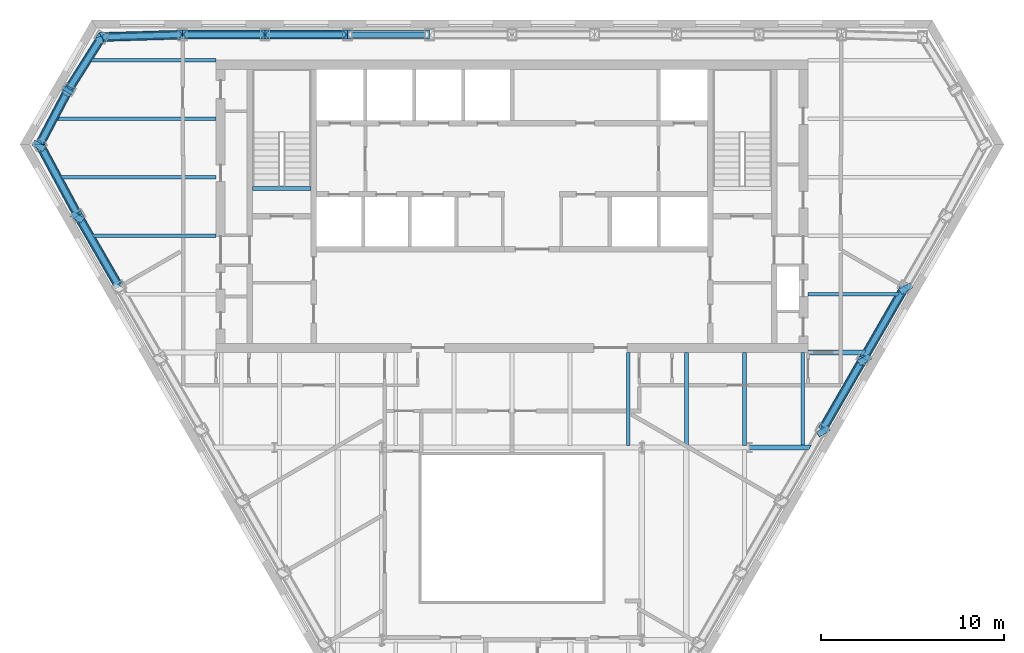
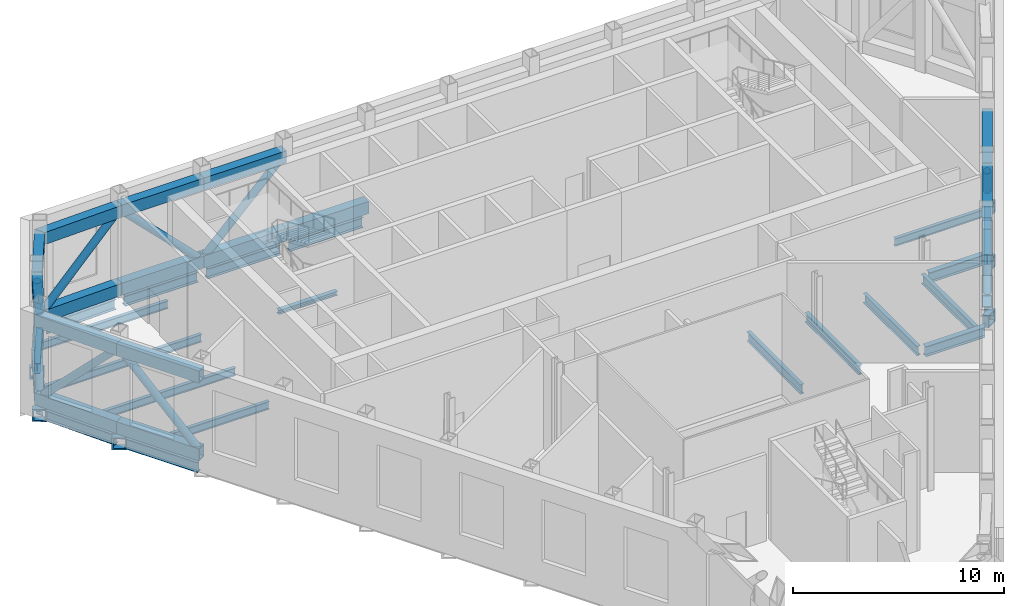
# One storey, part 4 of 13: 28 beams, 28 members.
"""IFC4 building model written with IfcOpenShell, lengths in metres."""

from ifc_helpers import new_model, si_unit, direction, frame, origin, origin_2d, place, context, subcontext, project, spatial, hollow_rectangle, hollow_circle, i_section, extrude, clip, halfspace, material, material_profile, profile_set, type_object, element, save


model = new_model("IFC4")

# Units and contexts
model_context = context("Model", 3, precision=1e-05, world=origin(), true_north=direction((0.0, 1.0)))
body_context = subcontext(model_context, "Body", "Model", "MODEL_VIEW")
ifc_project = project(units=[si_unit("LENGTHUNIT", "METRE"), si_unit("AREAUNIT", "SQUARE_METRE"), si_unit("VOLUMEUNIT", "CUBIC_METRE"), si_unit("PLANEANGLEUNIT", "RADIAN"), si_unit("MASSUNIT", "GRAM", prefix="KILO")], contexts=[model_context])

# Site, building, storey
site_placement = place(None, origin())
site = spatial("IfcSite", under=ifc_project, at=site_placement, CompositionType="ELEMENT")
building_placement = place(site_placement, origin())
building = spatial("IfcBuilding", under=site, at=building_placement, Name="Njiva Tower", CompositionType="ELEMENT")
storey_placement = place(building_placement, frame((0.0, 0.0, 186.6)))
storey = spatial("IfcBuildingStorey", under=building, at=storey_placement, Name="L41", CompositionType="ELEMENT", Elevation=186.6)

# Beams
ifc_material_1 = material(Name="Steel S355 J2", Category="steel")
ifc_material_profile_1 = material_profile(ifc_material_1, hollow_rectangle(XDim=0.7, YDim=0.7, WallThickness=0.08, at=origin_2d()), Name="BOX 700x700x80")
ifc_profile_set_1 = profile_set([ifc_material_profile_1], Name="Steel S355 J2")
beam_type_1 = type_object("IfcBeamType", Name="B19 Column jog beam BOX 700x700x80", PredefinedType="BEAM", material=ifc_profile_set_1)
beam_1_placement = place(storey_placement, frame((-24.359, 16.259, -0.55), z_axis=(0.532813269686, 0.84623284009, 0.0), x_axis=(-0.84623284009, 0.532813269686, 0.0)))
element("IfcBeam", 1, at=beam_1_placement, inside=storey, type_object=beam_type_1, Name="Column jog beam T3-B020", PredefinedType="BEAM", context=body_context, shape_type="SweptSolid", body=[
    extrude(hollow_rectangle(XDim=0.7, YDim=0.7, WallThickness=0.08, at=origin_2d()), origin(), (0.0, 0.0, 1.0), 0.2233),
])
beam_2_placement = place(storey_placement, frame((-25.989, 13.169, -0.55), z_axis=(0.519059238985, 0.85473826779, 0.0), x_axis=(-0.85473826779, 0.519059238985, 0.0)))
element("IfcBeam", 2, at=beam_2_placement, inside=storey, type_object=beam_type_1, Name="Column jog beam T3-B019", PredefinedType="BEAM", context=body_context, shape_type="SweptSolid", body=[
    extrude(hollow_rectangle(XDim=0.7, YDim=0.7, WallThickness=0.08, at=origin_2d()), origin(), (0.0, 0.0, 1.0), 0.3217),
])
beam_3_placement = place(storey_placement, frame((-23.888, 9.264, -0.55), z_axis=(0.517683266159, 0.855572344071, 0.0), x_axis=(-0.855572344071, 0.517683266159, 0.0)))
element("IfcBeam", 3, at=beam_3_placement, inside=storey, type_object=beam_type_1, Name="Column jog beam T3-B021", PredefinedType="BEAM", context=body_context, shape_type="SweptSolid", body=[
    extrude(hollow_rectangle(XDim=0.7, YDim=0.7, WallThickness=0.08, at=origin_2d()), origin(), (0.0, 0.0, 1.0), 0.3226),
])
for number, where, z_axis, x_axis, name in (
    (4, (17.124, -2.45, -0.55), (-0.503103193973, 0.864226345475, 0.0), (-0.864226345475, -0.503103193973, 0.0), "Column jog beam T3-B042"),
    (5, (19.378, 1.454, -0.55), (-0.503103193973, 0.864226345475, 0.0), (-0.864226345475, -0.503103193973, 0.0), "Column jog beam T3-B043"),
):
    element("IfcBeam", number, at=place(storey_placement, frame(where, z_axis=z_axis, x_axis=x_axis)), inside=storey, type_object=beam_type_1, Name=name, PredefinedType="BEAM", context=body_context, shape_type="SweptSolid", body=[
        extrude(hollow_rectangle(XDim=0.7, YDim=0.7, WallThickness=0.08, at=origin_2d()), origin(), (0.0, 0.0, 1.0), 0.324),
    ])
beam_4_placement = place(storey_placement, frame((21.634, 5.359, -0.55), z_axis=(-0.511321392938, 0.859389570058, 0.0), x_axis=(-0.859389570058, -0.511321392938, 0.0)))
element("IfcBeam", 6, at=beam_4_placement, inside=storey, type_object=beam_type_1, Name="Column jog beam T3-B044", PredefinedType="BEAM", context=body_context, shape_type="SweptSolid", body=[
    extrude(hollow_rectangle(XDim=0.7, YDim=0.7, WallThickness=0.08, at=origin_2d()), origin(), (0.0, 0.0, 1.0), 0.3246),
])
ifc_material_profile_2 = material_profile(ifc_material_1, i_section(OverallWidth=0.3, OverallDepth=0.59, WebThickness=0.013, FlangeThickness=0.025, at=origin_2d()), Name="HEA 600")
ifc_profile_set_2 = profile_set([ifc_material_profile_2], Name="Steel S355 J2")
beam_type_2 = type_object("IfcBeamType", Name="B27 Short-span spandrel beam HEA 600", PredefinedType="SPANDREL", material=ifc_profile_set_2)
beam_5_placement = place(storey_placement, frame((-4.759, 19.4, -0.495), z_axis=(-1.0, 0.0, 0.0), x_axis=(0.0, -1.0, 0.0)))
element("IfcBeam", 7, at=beam_5_placement, inside=storey, type_object=beam_type_2, Name="Short-span spandrel beam T3-B087", PredefinedType="SPANDREL", context=body_context, shape_type="SweptSolid", body=[
    extrude(i_section(OverallWidth=0.3, OverallDepth=0.59, WebThickness=0.013, FlangeThickness=0.025, at=origin_2d()), origin(), (0.0, 0.0, 1.0), 4.008),
])
beam_6_placement = place(storey_placement, frame((-9.267, 19.4, -0.495), z_axis=(-1.0, 0.0, 0.0), x_axis=(0.0, -1.0, 0.0)))
element("IfcBeam", 8, at=beam_6_placement, inside=storey, type_object=beam_type_2, Name="Short-span spandrel beam T3-B084", PredefinedType="SPANDREL", context=body_context, shape_type="SweptSolid", body=[
    extrude(i_section(OverallWidth=0.3, OverallDepth=0.59, WebThickness=0.013, FlangeThickness=0.025, at=origin_2d()), origin(), (0.0, 0.0, 1.0), 4.009),
])
beam_7_placement = place(storey_placement, frame((-13.776, 19.4, -0.495), z_axis=(-1.0, 0.0, 0.0), x_axis=(0.0, -1.0, 0.0)))
element("IfcBeam", 9, at=beam_7_placement, inside=storey, type_object=beam_type_2, Name="Short-span spandrel beam T3-B081", PredefinedType="SPANDREL", context=body_context, shape_type="SweptSolid", body=[
    extrude(i_section(OverallWidth=0.3, OverallDepth=0.59, WebThickness=0.013, FlangeThickness=0.025, at=origin_2d()), origin(), (0.0, 0.0, 1.0), 4.008),
])
beam_8_placement = place(storey_placement, frame((-18.288, 19.392, -0.495), z_axis=(-0.999548579163, -0.030043932724, 0.0), x_axis=(0.030043932724, -0.999548579163, 0.0)))
element("IfcBeam", 10, at=beam_8_placement, inside=storey, type_object=beam_type_2, Name="Short-span spandrel beam T3-B078", PredefinedType="SPANDREL", context=body_context, shape_type="Clipping", body=[
    clip(extrude(i_section(OverallWidth=0.3, OverallDepth=0.59, WebThickness=0.013, FlangeThickness=0.025, at=origin_2d()), origin(), (0.0, 0.0, 1.0), 3.9407), halfspace(frame((-0.0266, 0.0, 3.8111), z_axis=(-0.525791143758, 0.0, 0.850613703832), x_axis=(0.0, 1.0, 0.0)), False)),
])
beam_9_placement = place(storey_placement, frame((-22.599, 19.049, -0.495), z_axis=(-0.533639822289, -0.845711854042, 0.0), x_axis=(0.845711854042, -0.533639822289, 0.0)))
element("IfcBeam", 11, at=beam_9_placement, inside=storey, type_object=beam_type_2, Name="Short-span spandrel beam T3-B076", PredefinedType="SPANDREL", context=body_context, shape_type="SweptSolid", body=[
    extrude(i_section(OverallWidth=0.3, OverallDepth=0.59, WebThickness=0.013, FlangeThickness=0.025, at=origin_2d()), origin(), (0.0, 0.0, 1.0), 2.9833),
])
beam_10_placement = place(storey_placement, frame((-24.439, 16.08, -0.495), z_axis=(-0.465518349339, -0.885038228795, 0.0), x_axis=(0.885038228795, -0.465518349339, 0.0)))
element("IfcBeam", 12, at=beam_10_placement, inside=storey, type_object=beam_type_2, Name="Short-span spandrel beam T3-B074", PredefinedType="SPANDREL", context=body_context, shape_type="Clipping", body=[
    clip(extrude(i_section(OverallWidth=0.3, OverallDepth=0.59, WebThickness=0.013, FlangeThickness=0.025, at=origin_2d()), origin(), (0.0, 0.0, 1.0), 3.0064), halfspace(frame((-0.0269, 0.0, 2.8748), z_axis=(-0.533708358219, 0.0, 0.845668604341), x_axis=(0.0, 1.0, 0.0)), False)),
])
beam_11_placement = place(storey_placement, frame((-25.686, 13.084, -0.495), z_axis=(0.473704904444, -0.880683634176, 0.0), x_axis=(0.880683634176, 0.473704904444, 0.0)))
element("IfcBeam", 13, at=beam_11_placement, inside=storey, type_object=beam_type_2, Name="Short-span spandrel beam T3-B075", PredefinedType="SPANDREL", context=body_context, shape_type="SweptSolid", body=[
    extrude(i_section(OverallWidth=0.3, OverallDepth=0.59, WebThickness=0.013, FlangeThickness=0.025, at=origin_2d()), origin(), (0.0, 0.0, 1.0), 3.9265),
])
for number, where, z_axis, x_axis, name in (
    (14, (-23.578, 9.187, -0.495), (0.500003221507, -0.866023543838, 0.0), (0.866023543838, 0.500003221507, 0.0), "Short-span spandrel beam T3-B077"),
    (15, (17.065, -2.093, -0.495), (0.500003221507, 0.866023543838, 0.0), (-0.866023543838, 0.500003221507, 0.0), "Short-span spandrel beam T3-B103"),
):
    element("IfcBeam", number, at=place(storey_placement, frame(where, z_axis=z_axis, x_axis=x_axis)), inside=storey, type_object=beam_type_2, Name=name, PredefinedType="SPANDREL", context=body_context, shape_type="SweptSolid", body=[
        extrude(i_section(OverallWidth=0.3, OverallDepth=0.59, WebThickness=0.013, FlangeThickness=0.025, at=origin_2d()), origin(), (0.0, 0.0, 1.0), 4.008),
    ])
beam_12_placement = place(storey_placement, frame((19.319, 1.811, -0.495), z_axis=(0.500082280366, 0.865977893981, 0.0), x_axis=(-0.865977893981, 0.500082280366, 0.0)))
element("IfcBeam", 16, at=beam_12_placement, inside=storey, type_object=beam_type_2, Name="Short-span spandrel beam T3-B105", PredefinedType="SPANDREL", context=body_context, shape_type="SweptSolid", body=[
    extrude(i_section(OverallWidth=0.3, OverallDepth=0.59, WebThickness=0.013, FlangeThickness=0.025, at=origin_2d()), origin(), (0.0, 0.0, 1.0), 4.0093),
])
ifc_material_profile_3 = material_profile(ifc_material_1, i_section(OverallWidth=0.3, OverallDepth=0.59, WebThickness=0.013, FlangeThickness=0.025, at=origin_2d()), Name="HEA 600")
ifc_profile_set_3 = profile_set([ifc_material_profile_3], Name="Steel S355 J2")
beam_type_3 = type_object("IfcBeamType", Name="B29 Short-span floor girder HEA 600", PredefinedType="BEAM", material=ifc_profile_set_3)
beam_13_placement = place(storey_placement, frame((13.0, -3.2, -0.495), z_axis=(1.0, 0.0, 0.0), x_axis=(0.0, 1.0, 0.0)))
element("IfcBeam", 17, at=beam_13_placement, inside=storey, type_object=beam_type_3, Name="Short-span floor girder T3-B017", PredefinedType="BEAM", context=body_context, shape_type="Clipping", body=[
    clip(extrude(i_section(OverallWidth=0.3, OverallDepth=0.59, WebThickness=0.013, FlangeThickness=0.025, at=origin_2d()), origin(), (0.0, 0.0, 1.0), 3.418), halfspace(frame((-0.025, 0.0, 3.2963), z_axis=(-0.499998009787, 0.0, 0.866026552831), x_axis=(0.0, 1.0, 0.0)), False)),
])
beam_14_placement = place(storey_placement, frame((16.2, 2.0, -0.495), z_axis=(1.0, 0.0, 0.0), x_axis=(0.0, 1.0, 0.0)))
element("IfcBeam", 18, at=beam_14_placement, inside=storey, type_object=beam_type_3, Name="Short-span floor girder T3-B018", PredefinedType="BEAM", context=body_context, shape_type="Clipping", body=[
    clip(extrude(i_section(OverallWidth=0.3, OverallDepth=0.59, WebThickness=0.013, FlangeThickness=0.025, at=origin_2d()), origin(), (0.0, 0.0, 1.0), 3.22), halfspace(frame((-0.025, 0.0, 3.0986), z_axis=(-0.499998009787, 0.0, 0.866026552831), x_axis=(0.0, 1.0, 0.0)), False)),
])
ifc_material_profile_4 = material_profile(ifc_material_1, i_section(OverallWidth=0.21, OverallDepth=0.55, WebThickness=0.0111, FlangeThickness=0.0172, at=origin_2d()), Name="IPE 550")
ifc_profile_set_4 = profile_set([ifc_material_profile_4], Name="Steel S355 J2")
beam_type_4 = type_object("IfcBeamType", Name="B32 Floor joist IPE 550", PredefinedType="JOIST", material=ifc_profile_set_4)
for number, where, z_axis, x_axis, name in (
    (19, (6.367, 1.995, -0.475), (0.0, -1.0, 0.0), (1.0, 0.0, 0.0), "Floor joist T3-B063"),
    (20, (9.55, 1.995, -0.475), (0.0, -1.0, 0.0), (1.0, 0.0, 0.0), "Floor joist T3-B066"),
    (21, (12.733, 1.995, -0.475), (0.0, -1.0, 0.0), (1.0, 0.0, 0.0), "Floor joist T3-B068"),
    (22, (15.917, 1.995, -0.475), (0.0, -1.0, 0.0), (1.0, 0.0, 0.0), "Floor joist T3-B069"),
):
    element("IfcBeam", number, at=place(storey_placement, frame(where, z_axis=z_axis, x_axis=x_axis)), inside=storey, type_object=beam_type_4, Name=name, PredefinedType="JOIST", context=body_context, shape_type="SweptSolid", body=[
        extrude(i_section(OverallWidth=0.21, OverallDepth=0.55, WebThickness=0.0111, FlangeThickness=0.0172, at=origin_2d()), origin(), (0.0, 0.0, 1.0), 5.095),
    ])
ifc_material_profile_5 = material_profile(ifc_material_1, i_section(OverallWidth=0.19, OverallDepth=0.45, WebThickness=0.0094, FlangeThickness=0.0146, at=origin_2d()), Name="IPE 450")
ifc_profile_set_5 = profile_set([ifc_material_profile_5], Name="Steel S355 J2")
beam_type_5 = type_object("IfcBeamType", Name="B37 Floor beam to the core IPE 450", PredefinedType="BEAM", material=ifc_profile_set_5)
beam_15_placement = place(storey_placement, frame((16.2, 5.2, -0.425), z_axis=(1.0, 0.0, 0.0), x_axis=(0.0, 1.0, 0.0)))
element("IfcBeam", 23, at=beam_15_placement, inside=storey, type_object=beam_type_5, Name="Floor beam to the core T3-B006", PredefinedType="BEAM", context=body_context, shape_type="Clipping", body=[
    clip(extrude(i_section(OverallWidth=0.19, OverallDepth=0.45, WebThickness=0.0094, FlangeThickness=0.0146, at=origin_2d()), origin(), (0.0, 0.0, 1.0), 5.036), halfspace(frame((-0.025, 0.0, 4.9461), z_axis=(-0.499998009787, 0.0, 0.866026552831), x_axis=(0.0, 1.0, 0.0)), False)),
])
beam_16_placement = place(storey_placement, frame((-23.083, 8.4, -0.425), z_axis=(1.0, 0.0, 0.0), x_axis=(0.0, 1.0, 0.0)))
element("IfcBeam", 24, at=beam_16_placement, inside=storey, type_object=beam_type_5, Name="Floor beam to the core T3-B004", PredefinedType="BEAM", context=body_context, shape_type="Clipping", body=[
    clip(extrude(i_section(OverallWidth=0.19, OverallDepth=0.45, WebThickness=0.0094, FlangeThickness=0.0146, at=origin_2d()), origin(), (0.0, 0.0, 1.0), 6.883), halfspace(frame((-0.025, 0.0, 0.0894), z_axis=(-0.499998009787, 0.0, -0.866026552831), x_axis=(0.0, -1.0, 0.0)), False)),
])
beam_17_placement = place(storey_placement, frame((-24.845, 11.6, -0.425), z_axis=(1.0, 0.0, 0.0), x_axis=(0.0, 1.0, 0.0)))
element("IfcBeam", 25, at=beam_17_placement, inside=storey, type_object=beam_type_5, Name="Floor beam to the core T3-B002", PredefinedType="BEAM", context=body_context, shape_type="Clipping", body=[
    clip(extrude(i_section(OverallWidth=0.19, OverallDepth=0.45, WebThickness=0.0094, FlangeThickness=0.0146, at=origin_2d()), origin(), (0.0, 0.0, 1.0), 8.645), halfspace(frame((-0.0237, 0.0, 0.0834), z_axis=(-0.473769423091, 0.0, -0.880648927634), x_axis=(0.0, -1.0, 0.0)), False)),
])
beam_18_placement = place(storey_placement, frame((-25.069, 14.8, -0.425), z_axis=(1.0, 0.0, 0.0), x_axis=(0.0, 1.0, 0.0)))
element("IfcBeam", 26, at=beam_18_placement, inside=storey, type_object=beam_type_5, Name="Floor beam to the core T3-B001", PredefinedType="BEAM", context=body_context, shape_type="Clipping", body=[
    clip(extrude(i_section(OverallWidth=0.19, OverallDepth=0.45, WebThickness=0.0094, FlangeThickness=0.0146, at=origin_2d()), origin(), (0.0, 0.0, 1.0), 8.869), halfspace(frame((0.0233, 0.0, 0.082), z_axis=(0.465649575467, 0.0, -0.884969193174), x_axis=(0.0, -1.0, 0.0)), False)),
])
beam_19_placement = place(storey_placement, frame((-23.222, 18.0, -0.425), z_axis=(1.0, 0.0, 0.0), x_axis=(0.0, 1.0, 0.0)))
element("IfcBeam", 27, at=beam_19_placement, inside=storey, type_object=beam_type_5, Name="Floor beam to the core T3-B003", PredefinedType="BEAM", context=body_context, shape_type="Clipping", body=[
    clip(extrude(i_section(OverallWidth=0.19, OverallDepth=0.45, WebThickness=0.0094, FlangeThickness=0.0146, at=origin_2d()), origin(), (0.0, 0.0, 1.0), 7.022), halfspace(frame((0.0267, 0.0, 0.0965), z_axis=(0.533579818876, 0.0, -0.84574971291), x_axis=(0.0, -1.0, 0.0)), False)),
])
ifc_material_profile_6 = material_profile(ifc_material_1, i_section(OverallWidth=0.24, OverallDepth=0.23, WebThickness=0.0075, FlangeThickness=0.012, at=origin_2d()), Name="HEA240")
ifc_profile_set_6 = profile_set([ifc_material_profile_6], Name="Steel S355 J2")
beam_type_6 = type_object("IfcBeamType", Name="FL8 Landing beam HEA 240", PredefinedType="BEAM", material=ifc_profile_set_6)
beam_20_placement = place(storey_placement, frame((-14.206, 10.98, 2.685), z_axis=(1.0, 0.0, 0.0), x_axis=(0.0, 1.0, 0.0)))
element("IfcBeam", 28, at=beam_20_placement, inside=storey, type_object=beam_type_6, Name="Landing beam", PredefinedType="BEAM", context=body_context, shape_type="SweptSolid", body=[
    extrude(i_section(OverallWidth=0.24, OverallDepth=0.23, WebThickness=0.0075, FlangeThickness=0.012, at=origin_2d()), origin(), (0.0, 0.0, 1.0), 3.212),
])

# Members
ifc_material_profile_7 = material_profile(ifc_material_1, hollow_rectangle(XDim=0.5, YDim=0.7, WallThickness=0.04, at=origin_2d()), Name="BOX 700x500x40")
ifc_profile_set_7 = profile_set([ifc_material_profile_7], Name="Steel S355 J2")
member_type_1 = type_object("IfcMemberType", Name="TC2 Belt truss chord BOX 700x500x40", PredefinedType="CHORD", material=ifc_profile_set_7)
member_1_placement = place(storey_placement, frame((-4.508, 19.4, 0.35), z_axis=(-1.0, 0.0, 0.0), x_axis=(0.0, -1.0, 0.0)))
element("IfcMember", 29, at=member_1_placement, inside=storey, type_object=member_type_1, Name="Belt truss chord T3-TR019", PredefinedType="CHORD", context=body_context, shape_type="SweptSolid", body=[
    extrude(hollow_rectangle(XDim=0.5, YDim=0.7, WallThickness=0.04, at=origin_2d()), origin(), (0.0, 0.0, 1.0), 4.507),
])
for number, where, z_axis, x_axis, name in (
    (30, (-9.015, 19.4, 0.35), (-1.0, 0.0, 0.0), (0.0, -1.0, 0.0), "Belt truss chord T3-TR022"),
    (31, (-9.015, 19.4, 4.86), (-1.0, 0.0, 0.0), (0.0, -1.0, 0.0), "Belt truss chord T3-TR023"),
):
    element("IfcMember", number, at=place(storey_placement, frame(where, z_axis=z_axis, x_axis=x_axis)), inside=storey, type_object=member_type_1, Name=name, PredefinedType="CHORD", context=body_context, shape_type="SweptSolid", body=[
        extrude(hollow_rectangle(XDim=0.5, YDim=0.7, WallThickness=0.04, at=origin_2d()), origin(), (0.0, 0.0, 1.0), 4.508),
    ])
member_2_placement = place(storey_placement, frame((-13.523, 19.4, 0.35), z_axis=(-1.0, 0.0, 0.0), x_axis=(0.0, -1.0, 0.0)))
element("IfcMember", 32, at=member_2_placement, inside=storey, type_object=member_type_1, Name="Belt truss chord T3-TR025", PredefinedType="CHORD", context=body_context, shape_type="Clipping", body=[
    clip(extrude(hollow_rectangle(XDim=0.5, YDim=0.7, WallThickness=0.04, at=origin_2d()), origin(), (0.0, 0.0, 1.0), 4.541), halfspace(frame((0.0, -186.95, 4.507), z_axis=(0.014999962409, 0.0, 0.999887494235), x_axis=(0.0, 1.0, 0.0)), False)),
])
member_3_placement = place(storey_placement, frame((-13.523, 19.4, 4.86), z_axis=(-1.0, 0.0, 0.0), x_axis=(0.0, -1.0, 0.0)))
element("IfcMember", 33, at=member_3_placement, inside=storey, type_object=member_type_1, Name="Belt truss chord T3-TR026", PredefinedType="CHORD", context=body_context, shape_type="Clipping", body=[
    clip(extrude(hollow_rectangle(XDim=0.5, YDim=0.7, WallThickness=0.04, at=origin_2d()), origin(), (0.0, 0.0, 1.0), 4.541), halfspace(frame((0.0, -191.46, 4.507), z_axis=(0.014999962409, 0.0, 0.999887494235), x_axis=(0.0, 1.0, 0.0)), False)),
])
member_4_placement = place(storey_placement, frame((-17.996, 19.401, 0.35), z_axis=(-0.999549830104, -0.03000228558, 0.0), x_axis=(0.03000228558, -0.999549830104, 0.0)))
element("IfcMember", 34, at=member_4_placement, inside=storey, type_object=member_type_1, Name="Belt truss chord T3-TR028", PredefinedType="CHORD", context=body_context, shape_type="Clipping", body=[
    clip(clip(extrude(hollow_rectangle(XDim=0.5, YDim=0.7, WallThickness=0.04, at=origin_2d()), origin(), (0.0, 0.0, 1.0), 4.63), halfspace(frame((0.0, -186.95, 0.034), z_axis=(0.015005700272, 0.0, -0.999887408141), x_axis=(0.0, -1.0, 0.0)), False)), halfspace(frame((0.0, -186.95, 4.467), z_axis=(0.46969440449, 0.0, 0.882829069747), x_axis=(0.0, 1.0, 0.0)), False)),
])
member_5_placement = place(storey_placement, frame((-17.996, 19.401, 4.86), z_axis=(-0.999549830104, -0.03000228558, 0.0), x_axis=(0.03000228558, -0.999549830104, 0.0)))
element("IfcMember", 35, at=member_5_placement, inside=storey, type_object=member_type_1, Name="Belt truss chord T3-TR029", PredefinedType="CHORD", context=body_context, shape_type="Clipping", body=[
    clip(clip(extrude(hollow_rectangle(XDim=0.5, YDim=0.7, WallThickness=0.04, at=origin_2d()), origin(), (0.0, 0.0, 1.0), 4.63), halfspace(frame((0.0, -191.46, 0.034), z_axis=(0.015005700272, 0.0, -0.999887408141), x_axis=(0.0, -1.0, 0.0)), False)), halfspace(frame((0.0, -191.46, 4.467), z_axis=(0.46969440449, 0.0, 0.882829069747), x_axis=(0.0, 1.0, 0.0)), False)),
])
member_6_placement = place(storey_placement, frame((-22.374, 19.4049, 0.35), z_axis=(-0.533649261636, -0.845705897789, 0.0), x_axis=(0.845705897789, -0.533649261636, 0.0)))
element("IfcMember", 36, at=member_6_placement, inside=storey, type_object=member_type_1, Name="Belt truss chord T3-TR031", PredefinedType="CHORD", context=body_context, shape_type="Clipping", body=[
    clip(clip(extrude(hollow_rectangle(XDim=0.5, YDim=0.7, WallThickness=0.04, at=origin_2d()), origin(), (0.0, 0.0, 1.0), 3.5966), halfspace(frame((0.0, -186.95, 0.163), z_axis=(0.469686094909, 0.0, -0.882833490671), x_axis=(0.0, -1.0, 0.0)), False)), halfspace(frame((0.0, -186.95, 3.5566), z_axis=(0.03920895543, 0.0, 0.999231033252), x_axis=(0.0, 1.0, 0.0)), False)),
])
member_7_placement = place(storey_placement, frame((-22.374, 19.4049, 4.86), z_axis=(-0.533649261636, -0.845705897789, 0.0), x_axis=(0.845705897789, -0.533649261636, 0.0)))
element("IfcMember", 37, at=member_7_placement, inside=storey, type_object=member_type_1, Name="Belt truss chord T3-TR032", PredefinedType="CHORD", context=body_context, shape_type="Clipping", body=[
    clip(clip(extrude(hollow_rectangle(XDim=0.5, YDim=0.7, WallThickness=0.04, at=origin_2d()), origin(), (0.0, 0.0, 1.0), 3.5966), halfspace(frame((0.0, -191.46, 0.163), z_axis=(0.469686094909, 0.0, -0.882833490671), x_axis=(0.0, -1.0, 0.0)), False)), halfspace(frame((0.0, -191.46, 3.5566), z_axis=(0.03920895543, 0.0, 0.999231033252), x_axis=(0.0, 1.0, 0.0)), False)),
])
member_8_placement = place(storey_placement, frame((-24.2534, 16.4324, 0.35), z_axis=(-0.465734291661, -0.884924612366, 0.0), x_axis=(0.884924612366, -0.465734291661, 0.0)))
element("IfcMember", 38, at=member_8_placement, inside=storey, type_object=member_type_1, Name="Belt truss chord T3-TR034", PredefinedType="CHORD", context=body_context, shape_type="Clipping", body=[
    clip(clip(extrude(hollow_rectangle(XDim=0.5, YDim=0.7, WallThickness=0.04, at=origin_2d()), origin(), (0.0, 0.0, 1.0), 3.5976), halfspace(frame((0.0, -186.95, 0.04), z_axis=(0.039216491459, 0.0, -0.999230737516), x_axis=(0.0, -1.0, 0.0)), False)), halfspace(frame((0.0, -186.95, 3.4346), z_axis=(0.469817670193, 0.0, 0.882763477255), x_axis=(0.0, 1.0, 0.0)), False)),
])
member_9_placement = place(storey_placement, frame((-24.2534, 16.4324, 4.86), z_axis=(-0.465734291661, -0.884924612366, 0.0), x_axis=(0.884924612366, -0.465734291661, 0.0)))
element("IfcMember", 39, at=member_9_placement, inside=storey, type_object=member_type_1, Name="Belt truss chord T3-TR035", PredefinedType="CHORD", context=body_context, shape_type="Clipping", body=[
    clip(clip(extrude(hollow_rectangle(XDim=0.5, YDim=0.7, WallThickness=0.04, at=origin_2d()), origin(), (0.0, 0.0, 1.0), 3.5976), halfspace(frame((0.0, -191.46, 0.04), z_axis=(0.039216491459, 0.0, -0.999230737516), x_axis=(0.0, -1.0, 0.0)), False)), halfspace(frame((0.0, -191.46, 3.4346), z_axis=(0.469817670193, 0.0, 0.882763477255), x_axis=(0.0, 1.0, 0.0)), False)),
])
member_10_placement = place(storey_placement, frame((-25.9302, 13.5365, 0.35), z_axis=(0.473898049697, -0.880579717285, 0.0), x_axis=(0.880579717285, 0.473898049697, 0.0)))
element("IfcMember", 40, at=member_10_placement, inside=storey, type_object=member_type_1, Name="Belt truss chord T3-TR037", PredefinedType="CHORD", context=body_context, shape_type="Clipping", body=[
    clip(clip(extrude(hollow_rectangle(XDim=0.5, YDim=0.7, WallThickness=0.04, at=origin_2d()), origin(), (0.0, 0.0, 1.0), 4.6304), halfspace(frame((0.0, -186.95, 0.163), z_axis=(0.469824716583, 0.0, -0.882759727042), x_axis=(0.0, -1.0, 0.0)), False)), halfspace(frame((0.0, -186.95, 4.5964), z_axis=(0.01490385339, 0.0, 0.999888931409), x_axis=(0.0, 1.0, 0.0)), False)),
])
member_11_placement = place(storey_placement, frame((-25.9302, 13.5365, 4.86), z_axis=(0.473898049697, -0.880579717285, 0.0), x_axis=(0.880579717285, 0.473898049697, 0.0)))
element("IfcMember", 41, at=member_11_placement, inside=storey, type_object=member_type_1, Name="Belt truss chord T3-TR038", PredefinedType="CHORD", context=body_context, shape_type="Clipping", body=[
    clip(clip(extrude(hollow_rectangle(XDim=0.5, YDim=0.7, WallThickness=0.04, at=origin_2d()), origin(), (0.0, 0.0, 1.0), 4.6304), halfspace(frame((0.0, -191.46, 0.163), z_axis=(0.469824716583, 0.0, -0.882759727042), x_axis=(0.0, -1.0, 0.0)), False)), halfspace(frame((0.0, -191.46, 4.5964), z_axis=(0.01490385339, 0.0, 0.999888931409), x_axis=(0.0, 1.0, 0.0)), False)),
])
member_12_placement = place(storey_placement, frame((-23.769, 9.5184, 0.35), z_axis=(0.499933745558, -0.866063652425, 0.0), x_axis=(0.866063652425, 0.499933745558, 0.0)))
element("IfcMember", 42, at=member_12_placement, inside=storey, type_object=member_type_1, Name="Belt truss chord T3-TR040", PredefinedType="CHORD", context=body_context, shape_type="Clipping", body=[
    clip(extrude(hollow_rectangle(XDim=0.5, YDim=0.7, WallThickness=0.04, at=origin_2d()), origin(), (0.0, 0.0, 1.0), 4.5406), halfspace(frame((0.0, -186.95, 0.034), z_axis=(0.014905098252, 0.0, -0.999888912853), x_axis=(0.0, -1.0, 0.0)), False)),
])
member_13_placement = place(storey_placement, frame((-23.769, 9.5184, 4.86), z_axis=(0.499933745558, -0.866063652425, 0.0), x_axis=(0.866063652425, 0.499933745558, 0.0)))
element("IfcMember", 43, at=member_13_placement, inside=storey, type_object=member_type_1, Name="Belt truss chord T3-TR041", PredefinedType="CHORD", context=body_context, shape_type="Clipping", body=[
    clip(extrude(hollow_rectangle(XDim=0.5, YDim=0.7, WallThickness=0.04, at=origin_2d()), origin(), (0.0, 0.0, 1.0), 4.5406), halfspace(frame((0.0, -191.46, 0.034), z_axis=(0.014905098252, 0.0, -0.999888912853), x_axis=(0.0, -1.0, 0.0)), False)),
])
for number, where, z_axis, x_axis, name in (
    (44, (16.991, -2.222, 0.35), (0.500004084281, 0.866023045711, 0.0), (-0.866023045711, 0.500004084281, 0.0), "Belt truss chord T3-TR091"),
    (45, (16.991, -2.222, 4.86), (0.500004084281, 0.866023045711, 0.0), (-0.866023045711, 0.500004084281, 0.0), "Belt truss chord T3-TR092"),
    (46, (19.245, 1.682, 0.35), (0.500004084281, 0.866023045711, 0.0), (-0.866023045711, 0.500004084281, 0.0), "Belt truss chord T3-TR094"),
    (47, (19.245, 1.682, 4.86), (0.500004084281, 0.866023045711, 0.0), (-0.866023045711, 0.500004084281, 0.0), "Belt truss chord T3-TR095"),
):
    element("IfcMember", number, at=place(storey_placement, frame(where, z_axis=z_axis, x_axis=x_axis)), inside=storey, type_object=member_type_1, Name=name, PredefinedType="CHORD", context=body_context, shape_type="SweptSolid", body=[
        extrude(hollow_rectangle(XDim=0.5, YDim=0.7, WallThickness=0.04, at=origin_2d()), origin(), (0.0, 0.0, 1.0), 4.508),
    ])
ifc_material_2 = material(Name="Steel S355 J2H", Category="steel")
ifc_material_profile_8 = material_profile(ifc_material_2, hollow_circle(Radius=0.2032, WallThickness=0.016, at=origin_2d()), Name="CHS 406.4x16")
ifc_profile_set_8 = profile_set([ifc_material_profile_8], Name="Steel S355 J2H")
member_type_2 = type_object("IfcMemberType", Name="TD2 Belt truss diagonal CHS 406.4x16", PredefinedType="BRACE", material=ifc_profile_set_8)
member_14_placement = place(storey_placement, frame((-8.8489, 19.4, 5.0262), z_axis=(-0.706949942603, 0.0, -0.707263584991), x_axis=(0.0, -1.0, 0.0)))
element("IfcMember", 48, at=member_14_placement, inside=storey, type_object=member_type_2, Name="Belt truss diagonal T3-TR024", PredefinedType="BRACE", context=body_context, shape_type="Clipping", body=[
    clip(clip(extrude(hollow_circle(Radius=0.2032, WallThickness=0.016, at=origin_2d()), origin(), (0.0, 0.0, 1.0), 6.8467), halfspace(frame((19.4, -6.6163, -5.8977), z_axis=(0.0, 0.706949942603, -0.707263584991), x_axis=(0.0, -0.707263584991, -0.706949942603)), False)), halfspace(frame((19.4, -9.324, -3.1889), z_axis=(0.0, -0.706949942603, 0.707263584991), x_axis=(0.0, 0.707263584991, 0.706949942603)), False)),
])
member_15_placement = place(storey_placement, frame((-13.3569, 19.4, 0.1838), z_axis=(-0.706871484179, 0.0, 0.707341999922), x_axis=(0.0, -1.0, 0.0)))
element("IfcMember", 49, at=member_15_placement, inside=storey, type_object=member_type_2, Name="Belt truss diagonal T3-TR027", PredefinedType="BRACE", context=body_context, shape_type="Clipping", body=[
    clip(clip(extrude(hollow_circle(Radius=0.2032, WallThickness=0.016, at=origin_2d()), origin(), (0.0, 0.0, 1.0), 6.846), halfspace(frame((19.4, 9.8057, -9.0835), z_axis=(0.0, -0.706871484179, -0.707341999922), x_axis=(0.0, -0.707341999922, 0.706871484179)), False)), halfspace(frame((19.4, 12.513, -6.3744), z_axis=(0.0, 0.706871484179, 0.707341999922), x_axis=(0.0, 0.707341999922, -0.706871484179)), False)),
])
member_16_placement = place(storey_placement, frame((-17.8681, 19.4049, 5.0247), z_axis=(-0.700676628488, -0.021031367996, -0.713168944816), x_axis=(0.03000228558, -0.999549830104, 0.0)))
element("IfcMember", 50, at=member_16_placement, inside=storey, type_object=member_type_2, Name="Belt truss diagonal T3-TR030", PredefinedType="BRACE", context=body_context, shape_type="Clipping", body=[
    clip(clip(extrude(hollow_circle(Radius=0.2032, WallThickness=0.016, at=origin_2d()), origin(), (0.0, 0.0, 1.0), 6.7859), halfspace(frame((19.9322, -12.6759, -11.7517), z_axis=(0.0, 0.700992194072, -0.713168944816), x_axis=(0.0, -0.713168944816, -0.700992194072)), False)), halfspace(frame((19.9322, -15.3607, -9.0203), z_axis=(0.0, -0.700992194072, 0.713168944816), x_axis=(0.0, 0.713168944816, 0.700992194072)), False)),
])
member_17_placement = place(storey_placement, frame((-22.402, 19.3606, 0.203), z_axis=(-0.32086172523, -0.508488763893, 0.799053771831), x_axis=(0.845705897789, -0.533649261636, 0.0)))
element("IfcMember", 51, at=member_17_placement, inside=storey, type_object=member_type_2, Name="Belt truss diagonal T3-TR033", PredefinedType="BRACE", context=body_context, shape_type="Clipping", body=[
    clip(clip(extrude(hollow_circle(Radius=0.2032, WallThickness=0.016, at=origin_2d()), origin(), (0.0, 0.0, 1.0), 6.0122), halfspace(frame((29.2772, -3.2378, 3.0459), z_axis=(0.0, -0.60125956934, -0.799053771831), x_axis=(0.0, -0.799053771831, 0.60125956934)), False)), halfspace(frame((29.2772, -0.935, 6.1062), z_axis=(0.0, 0.60125956934, 0.799053771831), x_axis=(0.0, 0.799053771831, -0.60125956934)), False)),
])
member_18_placement = place(storey_placement, frame((-24.2205, 16.4949, 5.007), z_axis=(-0.280081178037, -0.532171953715, -0.798966548354), x_axis=(0.884924612366, -0.465734291661, 0.0)))
element("IfcMember", 52, at=member_18_placement, inside=storey, type_object=member_type_2, Name="Belt truss diagonal T3-TR036", PredefinedType="BRACE", context=body_context, shape_type="Clipping", body=[
    clip(clip(extrude(hollow_circle(Radius=0.2032, WallThickness=0.016, at=origin_2d()), origin(), (0.0, 0.0, 1.0), 6.0128), halfspace(frame((29.1155, 2.3569, 2.3835), z_axis=(0.0, 0.601375468914, -0.798966548354), x_axis=(0.0, -0.798966548354, -0.601375468914)), False)), halfspace(frame((29.1155, 0.0536, 5.4436), z_axis=(0.0, -0.601375468914, 0.798966548354), x_axis=(0.0, 0.798966548354, 0.601375468914)), False)),
])
member_19_placement = place(storey_placement, frame((-25.9301, 13.5362, 0.1846), z_axis=(0.33221588527, -0.61731119281, 0.71313357571), x_axis=(0.880579717285, 0.473898049697, 0.0)))
element("IfcMember", 53, at=member_19_placement, inside=storey, type_object=member_type_2, Name="Belt truss diagonal T3-TR039", PredefinedType="BRACE", context=body_context, shape_type="Clipping", body=[
    clip(clip(extrude(hollow_circle(Radius=0.2032, WallThickness=0.016, at=origin_2d()), origin(), (0.0, 0.0, 1.0), 6.7882), halfspace(frame((16.4187, -16.9092, 17.3309), z_axis=(0.0, -0.701028175749, -0.71313357571), x_axis=(0.0, -0.71313357571, 0.701028175749)), False)), halfspace(frame((16.4187, -14.2242, 20.0622), z_axis=(0.0, 0.701028175749, 0.71313357571), x_axis=(0.0, 0.71313357571, -0.701028175749)), False)),
])
member_20_placement = place(storey_placement, frame((-23.835, 9.6329, 5.0262), z_axis=(0.353373104189, -0.612168320306, -0.707373590721), x_axis=(0.866063652425, 0.499933745558, 0.0)))
element("IfcMember", 54, at=member_20_placement, inside=storey, type_object=member_type_2, Name="Belt truss diagonal T3-TR042", PredefinedType="BRACE", context=body_context, shape_type="Clipping", body=[
    clip(clip(extrude(hollow_circle(Radius=0.2032, WallThickness=0.016, at=origin_2d()), origin(), (0.0, 0.0, 1.0), 6.8457), halfspace(frame((15.8269, 13.9726, 14.6777), z_axis=(0.0, 0.70683987094, -0.707373590721), x_axis=(0.0, -0.707373590721, -0.70683987094)), False)), halfspace(frame((15.8269, 11.2654, 17.3869), z_axis=(0.0, -0.70683987094, 0.707373590721), x_axis=(0.0, 0.707373590721, 0.70683987094)), False)),
])
member_21_placement = place(storey_placement, frame((16.9079, -2.3659, 0.1838), z_axis=(0.353476414343, 0.612232440815, 0.707266472355), x_axis=(-0.866023045711, 0.500004084281, 0.0)))
element("IfcMember", 55, at=member_21_placement, inside=storey, type_object=member_type_2, Name="Belt truss diagonal T3-TR093", PredefinedType="BRACE", context=body_context, shape_type="Clipping", body=[
    clip(clip(extrude(hollow_circle(Radius=0.2032, WallThickness=0.016, at=origin_2d()), origin(), (0.0, 0.0, 1.0), 6.8467), halfspace(frame((15.8256, 4.888, -4.1701), z_axis=(0.0, -0.706947053946, -0.707266472355), x_axis=(0.0, -0.707266472355, 0.706947053946)), False)), halfspace(frame((15.8256, 7.5956, -1.4612), z_axis=(0.0, 0.706947053946, 0.707266472355), x_axis=(0.0, 0.707266472355, -0.706947053946)), False)),
])
member_22_placement = place(storey_placement, frame((19.1619, 1.5381, 5.0262), z_axis=(0.353476414343, 0.612232440815, -0.707266472355), x_axis=(-0.866023045711, 0.500004084281, 0.0)))
element("IfcMember", 56, at=member_22_placement, inside=storey, type_object=member_type_2, Name="Belt truss diagonal T3-TR096", PredefinedType="BRACE", context=body_context, shape_type="Clipping", body=[
    clip(clip(extrude(hollow_circle(Radius=0.2032, WallThickness=0.016, at=origin_2d()), origin(), (0.0, 0.0, 1.0), 6.8467), halfspace(frame((15.8256, -8.0763, -7.357), z_axis=(0.0, 0.706947053946, -0.707266472355), x_axis=(0.0, -0.707266472355, -0.706947053946)), False)), halfspace(frame((15.8256, -10.7839, -4.6481), z_axis=(0.0, -0.706947053946, 0.707266472355), x_axis=(0.0, 0.707266472355, 0.706947053946)), False)),
])

save(model, "model.ifc")
